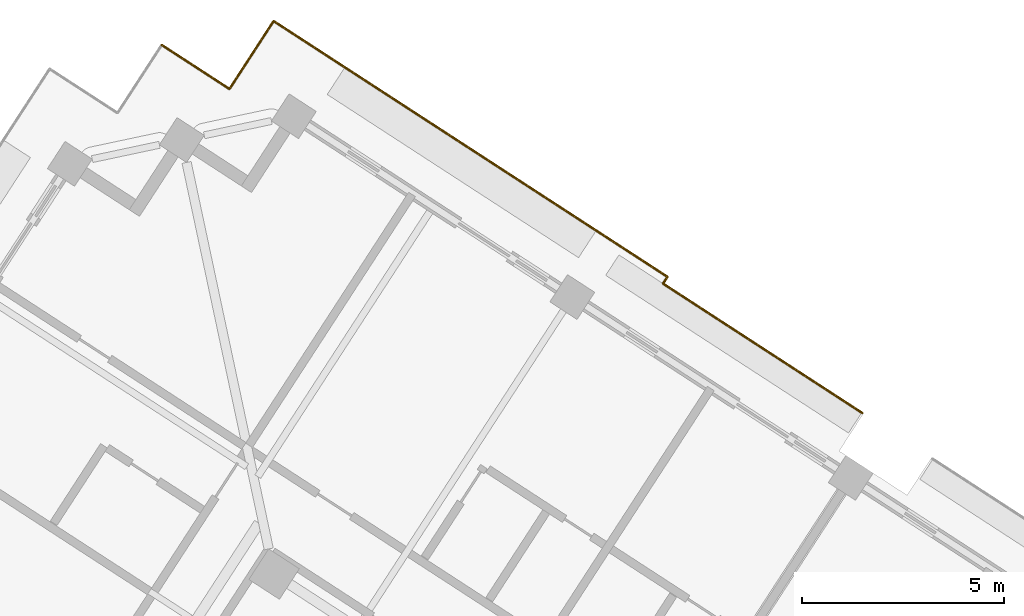
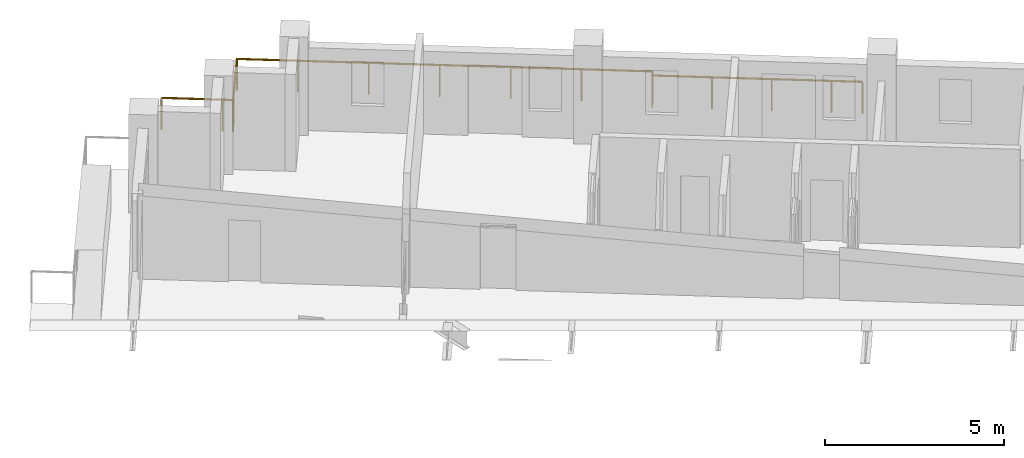
# One storey, part 16 of 17: 1 railing.
"""IFC4 building model written with IfcOpenShell, lengths in metres."""

from ifc_helpers import new_model, si_unit, direction, frame, origin, origin_2d, place, context, subcontext, project, spatial, circle, extrude, material, type_object, element, save


model = new_model("IFC4")

# Units and contexts
model_context = context("Model", 3, precision=1e-05, world=origin(), true_north=direction((0.0, 1.0)))
body_context = subcontext(model_context, "Body", "Model", "MODEL_VIEW")
ifc_project = project(units=[si_unit("LENGTHUNIT", "METRE"), si_unit("AREAUNIT", "SQUARE_METRE"), si_unit("VOLUMEUNIT", "CUBIC_METRE"), si_unit("PLANEANGLEUNIT", "RADIAN"), si_unit("MASSUNIT", "GRAM", prefix="KILO")], contexts=[model_context])

# Site, building, storey
site_placement = place(None, origin())
site = spatial("IfcSite", under=ifc_project, at=site_placement, CompositionType="ELEMENT")
building_placement = place(site_placement, origin())
building = spatial("IfcBuilding", under=site, at=building_placement, Name="Cantera Rosa Tower", CompositionType="ELEMENT")
storey_placement = place(building_placement, frame((0.0, 0.0, 257.699951171875)))
storey = spatial("IfcBuildingStorey", under=building, at=storey_placement, Name="L57", CompositionType="ELEMENT", Elevation=257.699951171875)

# Railing
ifc_material = material(Name="Stainless steel and laminated glass", Category="steel")
railing_type = type_object("IfcRailingType", Name="GUARD 1100", PredefinedType="BALUSTRADE", material=ifc_material)
railing_placement = place(storey_placement, frame((-4.248779296875, 30.362548828125, 0.0)))
element("IfcRailing", 1, at=railing_placement, inside=storey, type_object=railing_type, Name="GUARD L57-5", PredefinedType="BALUSTRADE", context=body_context, shape_type="SweptSolid", body=[
    extrude(circle(Radius=0.030029296875, at=origin_2d()), frame((0.0, 0.0, 1.070068359375), z_axis=(0.83859780397, -0.544751065329, 0.0), x_axis=(0.544751065329, 0.83859780397, 0.0)), (0.0, 0.0, 1.0), 1.699951171875),
    extrude(circle(Radius=0.030029296875, at=origin_2d()), frame((1.425537109375, -0.926025390625, 1.070068359375), z_axis=(0.838870916629, -0.5443304008, 0.0), x_axis=(0.5443304008, 0.838870916629, 0.0)), (0.0, 0.0, 1.0), 0.300048828125),
    extrude(circle(Radius=0.030029296875, at=origin_2d()), frame((1.67724609375, -1.08935546875, 1.070068359375), z_axis=(0.5443304008, 0.838870916629, 0.0), x_axis=(-0.838870916629, 0.5443304008, 0.0)), (0.0, 0.0, 1.0), 0.300048828125),
    extrude(circle(Radius=0.030029296875, at=origin_2d()), frame((1.840576171875, -0.837646484375, 1.070068359375), z_axis=(0.544751065329, 0.83859780397, 0.0), x_axis=(-0.83859780397, 0.544751065329, 0.0)), (0.0, 0.0, 1.0), 1.699951171875),
    extrude(circle(Radius=0.030029296875, at=origin_2d()), frame((2.7666015625, 0.587890625, 1.070068359375), z_axis=(0.838663412569, -0.54465005317, 0.0), x_axis=(0.54465005317, 0.838663412569, 0.0)), (0.0, 0.0, 1.0), 1.69970703125),
    extrude(circle(Radius=0.030029296875, at=origin_2d()), frame((4.192138671875, -0.337890625, 1.070068359375), z_axis=(0.83867848478, -0.544626843964, 0.0), x_axis=(0.544626843964, 0.83867848478, 0.0)), (0.0, 0.0, 1.0), 9.900146484375),
    extrude(circle(Radius=0.030029296875, at=origin_2d()), frame((12.4951171875, -5.729736328125, 1.070068359375), z_axis=(-0.544516215992, -0.838750314767, 0.0), x_axis=(0.838750314767, -0.544516215992, 0.0)), (0.0, 0.0, 1.0), 0.199951171875),
    extrude(circle(Radius=0.030029296875, at=origin_2d()), frame((12.38623046875, -5.8974609375, 1.070068359375), z_axis=(0.838653278808, -0.544665657027, 0.0), x_axis=(0.544665657027, 0.838653278808, 0.0)), (0.0, 0.0, 1.0), 5.0),
    extrude(circle(Radius=0.030029296875, at=origin_2d()), frame((16.57958984375, -8.620849609375, 1.070068359375), z_axis=(0.838725681888, -0.544554157584, 0.0), x_axis=(0.544554157584, 0.838725681888, 0.0)), (0.0, 0.0, 1.0), 0.869873046875),
    extrude(circle(Radius=0.02490234375, at=origin_2d()), origin(), (0.0, 0.0, 1.0), 1.0400390625),
    extrude(circle(Radius=0.02490234375, at=origin_2d()), frame((1.425537109375, -0.926025390625, 0.0)), (0.0, 0.0, 1.0), 1.0400390625),
    extrude(circle(Radius=0.02490234375, at=origin_2d()), frame((1.67724609375, -1.08935546875, 0.0)), (0.0, 0.0, 1.0), 1.0400390625),
    extrude(circle(Radius=0.02490234375, at=origin_2d()), frame((1.840576171875, -0.837646484375, 0.0)), (0.0, 0.0, 1.0), 1.0400390625),
    extrude(circle(Radius=0.02490234375, at=origin_2d()), frame((2.7666015625, 0.587890625, 0.0)), (0.0, 0.0, 1.0), 1.0400390625),
    extrude(circle(Radius=0.02490234375, at=origin_2d()), frame((4.192138671875, -0.337890625, 0.0)), (0.0, 0.0, 1.0), 1.0400390625),
    extrude(circle(Radius=0.02490234375, at=origin_2d()), frame((5.852783203125, -1.416259765625, 0.0)), (0.0, 0.0, 1.0), 1.0400390625),
    extrude(circle(Radius=0.02490234375, at=origin_2d()), frame((7.513427734375, -2.49462890625, 0.0)), (0.0, 0.0, 1.0), 1.0400390625),
    extrude(circle(Radius=0.02490234375, at=origin_2d()), frame((9.173828125, -3.572998046875, 0.0)), (0.0, 0.0, 1.0), 1.0400390625),
    extrude(circle(Radius=0.02490234375, at=origin_2d()), frame((10.83447265625, -4.6513671875, 0.0)), (0.0, 0.0, 1.0), 1.0400390625),
    extrude(circle(Radius=0.02490234375, at=origin_2d()), frame((12.4951171875, -5.729736328125, 0.0)), (0.0, 0.0, 1.0), 1.0400390625),
    extrude(circle(Radius=0.02490234375, at=origin_2d()), frame((12.38623046875, -5.8974609375, 0.0)), (0.0, 0.0, 1.0), 1.0400390625),
    extrude(circle(Radius=0.02490234375, at=origin_2d()), frame((13.783935546875, -6.80517578125, 0.0)), (0.0, 0.0, 1.0), 1.0400390625),
    extrude(circle(Radius=0.02490234375, at=origin_2d()), frame((15.181884765625, -7.713134765625, 0.0)), (0.0, 0.0, 1.0), 1.0400390625),
    extrude(circle(Radius=0.02490234375, at=origin_2d()), frame((16.57958984375, -8.620849609375, 0.0)), (0.0, 0.0, 1.0), 1.0400390625),
    extrude(circle(Radius=0.02490234375, at=origin_2d()), frame((17.30908203125, -9.094482421875, 0.0)), (0.0, 0.0, 1.0), 1.0400390625),
])

save(model, "model.ifc")
